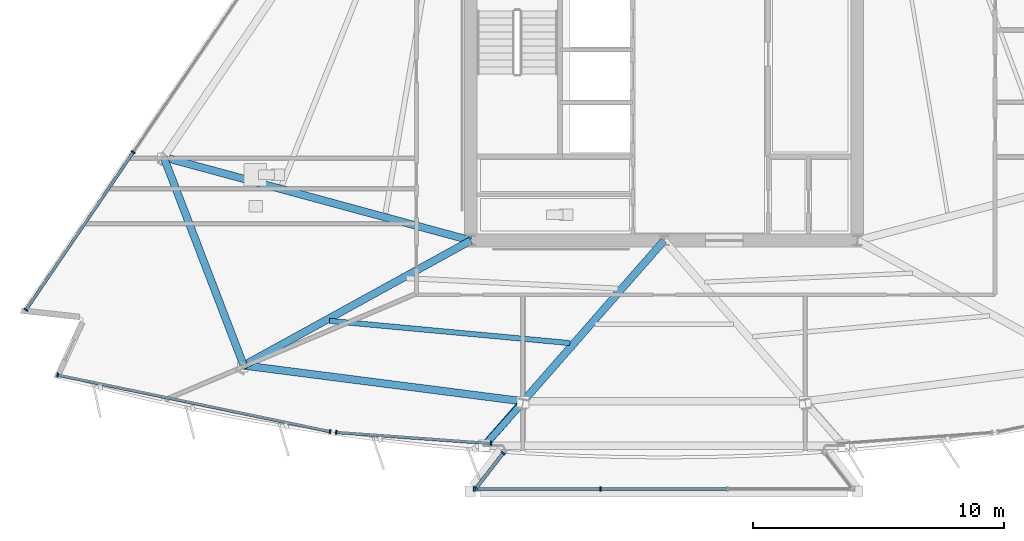
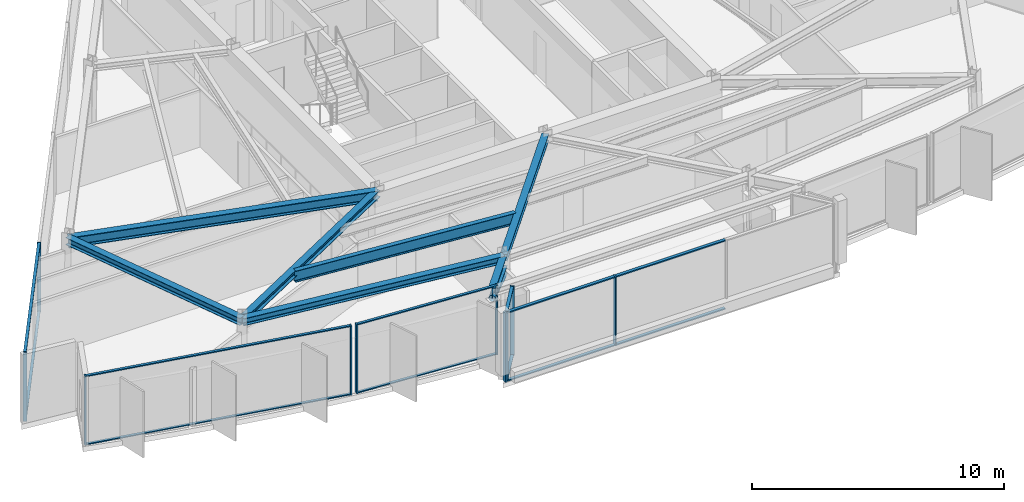
# One storey, part 2 of 14: 23 members, 7 beams, 5 elements without a shape of their own.
"""IFC4 building model written with IfcOpenShell, lengths in metres."""

import ifcopenshell
import ifcopenshell.guid

model = None  # the IFC model being written
_history = None  # IfcOwnerHistory: only IFC2X3 demands one
_inside = {}  # id of a spatial element -> (the spatial element, [elements in it])
_under = {}  # id of a project, library or spatial element -> (it, [spatial elements below it])
_declared = {}  # id of a project -> (the project, [libraries it declares])
_typed = {}  # id of a type object -> (the type object, [elements of that type])
_made_of = {}  # id of a material, layer set ... -> (it, [elements and type objects made of it])


def new_model(schema):
    """Start an empty IFC model of exactly this schema.

    Asked for "IFC4X3", IfcOpenShell would pick the latest addendum, in which some entities
    have other attributes; the version numbers below select the first issue.
    IFC2X3 requires an IfcOwnerHistory on every rooted entity: one is made here for all.
    """
    global model, _history
    if schema == "IFC4X3":
        model = ifcopenshell.file(schema_version=(4, 3, 0, 0))
    else:
        model = ifcopenshell.file(schema=schema)
    _inside.clear()
    _under.clear()
    _declared.clear()
    _typed.clear()
    _made_of.clear()
    _history = None
    if model.schema == "IFC2X3":
        org = make("IfcOrganization", Name="unknown")
        user = make(
            "IfcPersonAndOrganization",
            ThePerson=make("IfcPerson", FamilyName="unknown"),
            TheOrganization=org,
        )
        app = make(
            "IfcApplication",
            ApplicationDeveloper=org,
            Version="unknown",
            ApplicationFullName="unknown",
            ApplicationIdentifier="unknown",
        )
        _history = make(
            "IfcOwnerHistory",
            OwningUser=user,
            OwningApplication=app,
            ChangeAction="ADDED",
            CreationDate=0,
        )
    return model


def make(cls, **values):
    """One entity of the class cls with the attributes given. An attribute that is None is left unset."""
    return model.create_entity(
        cls, **{name: value for name, value in values.items() if value is not None}
    )


def rooted(cls, **values):
    """An entity with a GlobalId (a new one), such as an element, a storey or a relation."""
    return make(cls, GlobalId=ifcopenshell.guid.new(), OwnerHistory=_history, **values)


def si_unit(unit_type, name, prefix=None):
    """IfcSIUnit, for example si_unit("LENGTHUNIT", "METRE", prefix="MILLI")."""
    return make("IfcSIUnit", UnitType=unit_type, Prefix=prefix, Name=name)


def assignment(units):
    """IfcUnitAssignment: the units of a project."""
    return None if units is None else make("IfcUnitAssignment", Units=units)


def point(xyz):
    """IfcCartesianPoint."""
    return None if xyz is None else make("IfcCartesianPoint", Coordinates=xyz)


def direction(xyz):
    """IfcDirection."""
    return None if xyz is None else make("IfcDirection", DirectionRatios=xyz)


def frame(location, z_axis=None, x_axis=None):
    """IfcAxis2Placement3D, a coordinate frame: its origin and axes. An axis left out is left unset."""
    return make(
        "IfcAxis2Placement3D",
        Location=point(location),
        Axis=direction(z_axis),
        RefDirection=direction(x_axis),
    )


def frame_2d(location, x_axis=None):
    """IfcAxis2Placement2D, a coordinate frame in the plane: its origin and x axis."""
    return make(
        "IfcAxis2Placement2D", Location=point(location), RefDirection=direction(x_axis)
    )


def origin():
    """The frame at (0, 0, 0) with its axes left unset."""
    return frame((0.0, 0.0, 0.0))


def origin_2d():
    """The frame at (0, 0) in the plane with its x axis left unset."""
    return frame_2d((0.0, 0.0))


def place(relative_to, where):
    """IfcLocalPlacement: puts the frame where relative to a parent placement (None: the world)."""
    return make(
        "IfcLocalPlacement", PlacementRelTo=relative_to, RelativePlacement=where
    )


def context(
    kind, dimensions, precision=None, world=None, true_north=None, identifier=None
):
    """IfcGeometricRepresentationContext, for example the 3D "Model" context."""
    return make(
        "IfcGeometricRepresentationContext",
        ContextIdentifier=identifier,
        ContextType=kind,
        CoordinateSpaceDimension=dimensions,
        Precision=precision,
        WorldCoordinateSystem=world,
        TrueNorth=true_north,
    )


def subcontext(parent, identifier, kind, view, scale=None):
    """IfcGeometricRepresentationSubContext, for example "Body" below "Model"."""
    return make(
        "IfcGeometricRepresentationSubContext",
        ContextIdentifier=identifier,
        ContextType=kind,
        ParentContext=parent,
        TargetScale=scale,
        TargetView=view,
    )


def project(units=None, contexts=None):
    """IfcProject with its units and contexts."""
    return rooted(
        "IfcProject",
        Name="project",
        RepresentationContexts=contexts,
        UnitsInContext=assignment(units),
    )


def spatial(cls, under=None, at=None, **own):
    """A site, building, storey or space (cls), placed at a placement, below another one or the project."""
    s = rooted(cls, ObjectPlacement=at, **own)
    if under is not None:
        _under.setdefault(under.id(), (under, []))[1].append(s)
    return s


def profile(cls, at=None, kind="AREA", **sizes):
    """A parametric profile (cls). Its sizes go by their IFC names, for example OverallWidth=200.0."""
    return make(cls, ProfileType=kind, Position=at, **sizes)


def rectangle(**sizes):
    """IfcRectangleProfileDef."""
    return profile("IfcRectangleProfileDef", **sizes)


def hollow_circle(**sizes):
    """IfcCircleHollowProfileDef."""
    return profile("IfcCircleHollowProfileDef", **sizes)


def i_section(**sizes):
    """IfcIShapeProfileDef."""
    return profile("IfcIShapeProfileDef", **sizes)


def extrude(swept, where, along, depth):
    """IfcExtrudedAreaSolid: the profile swept, set in the frame where, extruded along a direction by depth."""
    return make(
        "IfcExtrudedAreaSolid",
        SweptArea=swept,
        Position=where,
        ExtrudedDirection=direction(along),
        Depth=depth,
    )


def shape(context_of_items, identifier, shape_type, items):
    """IfcShapeRepresentation: the items that make up one representation, for example the "Body"."""
    return make(
        "IfcShapeRepresentation",
        ContextOfItems=context_of_items,
        RepresentationIdentifier=identifier,
        RepresentationType=shape_type,
        Items=items,
    )


def material(Name=None, Category=None):
    """IfcMaterial."""
    return make("IfcMaterial", Name=Name, Category=Category)


def material_profile(
    of_material, cross_section, Name=None, Category=None, Priority=None
):
    """IfcMaterialProfile: a cross section and its material."""
    return make(
        "IfcMaterialProfile",
        Name=Name,
        Material=of_material,
        Profile=cross_section,
        Priority=Priority,
        Category=Category,
    )


def profile_set(profiles, Name=None, composite=None):
    """IfcMaterialProfileSet."""
    return make(
        "IfcMaterialProfileSet",
        Name=Name,
        MaterialProfiles=profiles,
        CompositeProfile=composite,
    )


def made_of(thing, what):
    """Note that an element or type object is made of a material, layer set ...; save() writes the relation."""
    if what is not None:
        _made_of.setdefault(what.id(), (what, []))[1].append(thing)
    return thing


def type_object(cls, material=None, **own):
    """A type object (cls), such as IfcWallType, which elements share."""
    return made_of(rooted(cls, **own), material)


def element(
    cls,
    number,
    at=None,
    inside=None,
    cuts=None,
    type_object=None,
    material=None,
    context=None,
    identifier="Body",
    shape_type=None,
    held_by="IfcProductDefinitionShape",
    body=None,
    shapes=None,
    **own,
):
    """One element of the class cls, such as IfcWall. Its Tag is "e" and its number.

    at: its placement. inside: the storey or other place that contains it. cuts: it is an
    opening in that element (IfcRelVoidsElement). A single representation is given by context,
    identifier, shape_type and body (its items); several are given by shapes. held_by: the class
    of the entity that holds the representations. save() writes the other relations.
    """
    e = rooted(cls, Tag="e%d" % number, ObjectPlacement=at, **own)
    if body is not None:
        shapes = [shape(context, identifier, shape_type, body)]
    if shapes is not None:
        e.Representation = make(held_by, Representations=shapes)
    if inside is not None:
        _inside.setdefault(inside.id(), (inside, []))[1].append(e)
    if cuts is not None:
        rooted(
            "IfcRelVoidsElement", RelatingBuildingElement=cuts, RelatedOpeningElement=e
        )
    if type_object is not None:
        _typed.setdefault(type_object.id(), (type_object, []))[1].append(e)
    return made_of(e, material)


def aggregate(whole, parts):
    """IfcRelAggregates: a whole, such as a stair, and the parts it consists of."""
    return rooted("IfcRelAggregates", RelatingObject=whole, RelatedObjects=parts)


def save(model, path):
    """Write the relations noted so far, then the file.

    IfcRelAggregates (storeys below a building ...), IfcRelContainedInSpatialStructure (elements
    in a storey), IfcRelDefinesByType, IfcRelAssociatesMaterial and IfcRelDeclares: one each for
    every whole, place, type object, material and project.
    """
    for whole, parts in _under.values():
        aggregate(whole, parts)
    for where, things in _inside.values():
        rooted(
            "IfcRelContainedInSpatialStructure",
            RelatedElements=things,
            RelatingStructure=where,
        )
    for kind, things in _typed.values():
        rooted("IfcRelDefinesByType", RelatedObjects=things, RelatingType=kind)
    for what, things in _made_of.values():
        rooted("IfcRelAssociatesMaterial", RelatedObjects=things, RelatingMaterial=what)
    for by, libraries in _declared.values():
        rooted("IfcRelDeclares", RelatingContext=by, RelatedDefinitions=libraries)
    model.write(path)


model = new_model("IFC4")

# Units and contexts
model_context = context("Model", 3, precision=1e-05, world=origin(), true_north=direction((0.0, 1.0)))
body_context = subcontext(model_context, "Body", "Model", "MODEL_VIEW")
ifc_project = project(units=[si_unit("LENGTHUNIT", "METRE"), si_unit("AREAUNIT", "SQUARE_METRE"), si_unit("VOLUMEUNIT", "CUBIC_METRE"), si_unit("PLANEANGLEUNIT", "RADIAN"), si_unit("MASSUNIT", "GRAM", prefix="KILO")], contexts=[model_context])

# Site, building, storey
site_placement = place(None, origin())
site = spatial("IfcSite", under=ifc_project, at=site_placement, CompositionType="ELEMENT")
building_placement = place(site_placement, origin())
building = spatial("IfcBuilding", under=site, at=building_placement, Name="Savorim Split Tower", CompositionType="ELEMENT")
storey_placement = place(building_placement, frame((0.0, 0.0, 205.5)))
storey = spatial("IfcBuildingStorey", under=building, at=storey_placement, Name="L54", CompositionType="ELEMENT", Elevation=205.5)

# Beams
ifc_material_1 = material(Name="Steel S355", Category="steel")
ifc_material_profile_1 = material_profile(ifc_material_1, i_section(OverallWidth=0.2099609375, OverallDepth=0.550048828125, WebThickness=0.010986328125, FlangeThickness=0.01708984375, FilletRadius=0.02392578125, at=origin_2d()), Name="IPE 550")
ifc_profile_set_1 = profile_set([ifc_material_profile_1], Name="Steel S355")
beam_type_1 = type_object("IfcBeamType", Name="BM-JST-IPE550", PredefinedType="JOIST", material=ifc_profile_set_1)
beam_1_placement = place(storey_placement, frame((-13.330078125, -12.601318359375, 3.074951171875), z_axis=(0.99575434079, -0.092050490482, 0.0), x_axis=(0.092050490482, 0.99575434079, 0.0)))
element("IfcBeam", 1, at=beam_1_placement, inside=storey, type_object=beam_type_1, Name="L54 Secondary Floor Joist JS-01", PredefinedType="JOIST", context=body_context, shape_type="SweptSolid", body=[
    extrude(i_section(OverallWidth=0.2099609375, OverallDepth=0.550048828125, WebThickness=0.010986328125, FlangeThickness=0.01708984375, FilletRadius=0.02392578125, at=origin_2d()), origin(), (0.0, 0.0, 1.0), 9.61962890625),
])
ifc_material_profile_2 = material_profile(ifc_material_1, i_section(OverallWidth=0.300048828125, OverallDepth=0.320068359375, WebThickness=0.011474609375, FlangeThickness=0.0205078125, FilletRadius=0.027099609375, at=origin_2d()), Name="HEB 320")
ifc_profile_set_2 = profile_set([ifc_material_profile_2], Name="Steel S355")
beam_type_2 = type_object("IfcBeamType", Name="BM-PRI-HEB320", PredefinedType="BEAM", material=ifc_profile_set_2)
beam_2_placement = place(storey_placement, frame((-16.74609375, -14.379150390625, 3.18994140625), z_axis=(0.8760576188, 0.482206437682, 0.0), x_axis=(-0.482206437682, 0.8760576188, 0.0)))
element("IfcBeam", 2, at=beam_2_placement, inside=storey, type_object=beam_type_2, Name="L54 Primary Floor Girder RG-01", PredefinedType="BEAM", context=body_context, shape_type="SweptSolid", body=[
    extrude(i_section(OverallWidth=0.300048828125, OverallDepth=0.320068359375, WebThickness=0.011474609375, FlangeThickness=0.0205078125, FilletRadius=0.027099609375, at=origin_2d()), origin(), (0.0, 0.0, 1.0), 10.325927734375),
])
beam_3_placement = place(storey_placement, frame((-5.612548828125, -15.80859375, 3.18994140625), z_axis=(0.658833231646, 0.752289022171, 0.0), x_axis=(-0.752289022171, 0.658833231646, 0.0)))
element("IfcBeam", 3, at=beam_3_placement, inside=storey, type_object=beam_type_2, Name="L54 Primary Floor Girder RG-02", PredefinedType="BEAM", context=body_context, shape_type="SweptSolid", body=[
    extrude(i_section(OverallWidth=0.300048828125, OverallDepth=0.320068359375, WebThickness=0.011474609375, FlangeThickness=0.0205078125, FilletRadius=0.027099609375, at=origin_2d()), origin(), (0.0, 0.0, 1.0), 8.51904296875),
])
ifc_material_profile_3 = material_profile(ifc_material_1, i_section(OverallWidth=0.300048828125, OverallDepth=0.5, WebThickness=0.014404296875, FlangeThickness=0.028076171875, FilletRadius=0.027099609375, at=origin_2d()), Name="HEB 500")
ifc_profile_set_3 = profile_set([ifc_material_profile_3], Name="Steel S355")
beam_type_3 = type_object("IfcBeamType", Name="BM-PRI-HEB500", PredefinedType="BEAM", material=ifc_profile_set_3)
beam_4_placement = place(storey_placement, frame((-19.931884765625, -6.080322265625, 3.10009765625), z_axis=(0.965091569654, -0.261912699545, 0.0), x_axis=(0.261912699545, 0.965091569654, 0.0)))
element("IfcBeam", 4, at=beam_4_placement, inside=storey, type_object=beam_type_3, Name="L54 Primary Floor Girder RG-10", PredefinedType="BEAM", context=body_context, shape_type="SweptSolid", body=[
    extrude(i_section(OverallWidth=0.300048828125, OverallDepth=0.5, WebThickness=0.014404296875, FlangeThickness=0.028076171875, FilletRadius=0.027099609375, at=origin_2d()), origin(), (0.0, 0.0, 1.0), 12.67431640625),
])
ifc_material_profile_4 = material_profile(ifc_material_1, i_section(OverallWidth=0.300048828125, OverallDepth=0.550048828125, WebThickness=0.014892578125, FlangeThickness=0.029052734375, FilletRadius=0.027099609375, at=origin_2d()), Name="HEB 550")
ifc_profile_set_4 = profile_set([ifc_material_profile_4], Name="Steel S355")
beam_type_4 = type_object("IfcBeamType", Name="BM-PRI-HEB550", PredefinedType="BEAM", material=ifc_profile_set_4)
beam_5_placement = place(storey_placement, frame((-5.612548828125, -15.80859375, 3.074951171875), z_axis=(-0.658864926547, -0.752261263502, 0.0), x_axis=(0.752261263502, -0.658864926547, 0.0)))
element("IfcBeam", 5, at=beam_5_placement, inside=storey, type_object=beam_type_4, Name="L54 Cantilevered Lounge Rib 1", PredefinedType="BEAM", context=body_context, shape_type="SweptSolid", body=[
    extrude(i_section(OverallWidth=0.300048828125, OverallDepth=0.550048828125, WebThickness=0.014892578125, FlangeThickness=0.029052734375, FilletRadius=0.027099609375, at=origin_2d()), origin(), (0.0, 0.0, 1.0), 2.35009765625),
])
ifc_material_profile_5 = material_profile(ifc_material_1, i_section(OverallWidth=0.300048828125, OverallDepth=0.35009765625, WebThickness=0.010009765625, FlangeThickness=0.017578125, FilletRadius=0.027099609375, at=origin_2d()), Name="HEA 360")
ifc_profile_set_5 = profile_set([ifc_material_profile_5], Name="Steel S355")
beam_type_5 = type_object("IfcBeamType", Name="BM-SPN-HEA360", PredefinedType="SPANDREL", material=ifc_profile_set_5)
beam_6_placement = place(storey_placement, frame((-16.74609375, -14.379150390625, 3.175048828125), z_axis=(0.991858435189, -0.127345375042, 0.0), x_axis=(0.127345375042, 0.991858435189, 0.0)))
element("IfcBeam", 6, at=beam_6_placement, inside=storey, type_object=beam_type_5, Name="L54 Perimeter Spandrel Beam 1", PredefinedType="SPANDREL", context=body_context, shape_type="SweptSolid", body=[
    extrude(i_section(OverallWidth=0.300048828125, OverallDepth=0.35009765625, WebThickness=0.010009765625, FlangeThickness=0.017578125, FilletRadius=0.027099609375, at=origin_2d()), origin(), (0.0, 0.0, 1.0), 11.224853515625),
])
beam_7_placement = place(storey_placement, frame((-19.931884765625, -6.080322265625, 3.175048828125), z_axis=(0.358384555312, -0.933574051971, 0.0), x_axis=(0.933574051971, 0.358384555312, 0.0)))
element("IfcBeam", 7, at=beam_7_placement, inside=storey, type_object=beam_type_5, Name="L54 Perimeter Spandrel Beam 10", PredefinedType="SPANDREL", context=body_context, shape_type="SweptSolid", body=[
    extrude(i_section(OverallWidth=0.300048828125, OverallDepth=0.35009765625, WebThickness=0.010009765625, FlangeThickness=0.017578125, FilletRadius=0.027099609375, at=origin_2d()), origin(), (0.0, 0.0, 1.0), 8.889404296875),
])

# Curtain wall, members
ifc_material_2 = material(Name="Dark Ceramic-Fritted Insulated Glass", Category="glass")
curtain_wall_type_1 = type_object("IfcCurtainWallType", Name="CW-TWR-FRIT-B", PredefinedType="NOTDEFINED", material=ifc_material_2)
curtain_wall_1_placement = place(storey_placement, origin())
curtain_wall_1 = element("IfcCurtainWall", 8, at=curtain_wall_1_placement, inside=storey, type_object=curtain_wall_type_1, Name="L54 Curtain Wall CW-L54-SF1A", PredefinedType="NOTDEFINED")
ifc_material_3 = material(Name="Charcoal Anodised Aluminium", Category="aluminium")
ifc_material_profile_6 = material_profile(ifc_material_3, rectangle(XDim=0.159912109375, YDim=0.06005859375, at=origin_2d()), Name="ALU-M 160x60")
ifc_profile_set_6 = profile_set([ifc_material_profile_6], Name="Charcoal Anodised Aluminium")
member_type_1 = type_object("IfcMemberType", Name="CWM-160x60", PredefinedType="MULLION", material=ifc_profile_set_6)
member_1_placement = place(storey_placement, frame((-24.15869140625, -14.758544921875, 0.0), z_axis=(0.0, 0.0, 1.0), x_axis=(0.203210452448, 0.979135083641, 0.0)))
member_1 = element("IfcMember", 9, at=member_1_placement, type_object=member_type_1, Name="CW-03 mullion 1", PredefinedType="MULLION", context=body_context, shape_type="SweptSolid", body=[
    extrude(rectangle(XDim=0.159912109375, YDim=0.06005859375, at=origin_2d()), origin(), (0.0, 0.0, 1.0), 3.35009765625),
])
member_2_placement = place(storey_placement, frame((-13.303466796875, -17.011474609375, 0.0), z_axis=(0.0, 0.0, 1.0), x_axis=(0.203210452448, 0.979135083641, 0.0)))
member_2 = element("IfcMember", 10, at=member_2_placement, type_object=member_type_1, Name="CW-03 mullion 2", PredefinedType="MULLION", context=body_context, shape_type="SweptSolid", body=[
    extrude(rectangle(XDim=0.159912109375, YDim=0.06005859375, at=origin_2d()), origin(), (0.0, 0.0, 1.0), 3.35009765625),
])

curtain_wall_2_placement = place(storey_placement, origin())
curtain_wall_2 = element("IfcCurtainWall", 11, at=curtain_wall_2_placement, inside=storey, type_object=curtain_wall_type_1, Name="L54 Curtain Wall CW-L54-SF2A", PredefinedType="NOTDEFINED")
member_3_placement = place(storey_placement, frame((-13.062255859375, -17.044921875, 0.0), z_axis=(0.0, 0.0, 1.0), x_axis=(0.071552325109, 0.99743684751, 0.0)))
member_3 = element("IfcMember", 12, at=member_3_placement, type_object=member_type_1, Name="CW-03 mullion 1", PredefinedType="MULLION", context=body_context, shape_type="SweptSolid", body=[
    extrude(rectangle(XDim=0.159912109375, YDim=0.06005859375, at=origin_2d()), origin(), (0.0, 0.0, 1.0), 3.35009765625),
])
member_4_placement = place(storey_placement, frame((-6.8994140625, -17.487060546875, 0.0), z_axis=(0.0, 0.0, 1.0), x_axis=(0.071552325109, 0.99743684751, 0.0)))
member_4 = element("IfcMember", 13, at=member_4_placement, type_object=member_type_1, Name="CW-03 mullion 2", PredefinedType="MULLION", context=body_context, shape_type="SweptSolid", body=[
    extrude(rectangle(XDim=0.159912109375, YDim=0.06005859375, at=origin_2d()), origin(), (0.0, 0.0, 1.0), 3.35009765625),
])

curtain_wall_3_placement = place(storey_placement, origin())
curtain_wall_3 = element("IfcCurtainWall", 14, at=curtain_wall_3_placement, inside=storey, type_object=curtain_wall_type_1, Name="L54 Curtain Wall CW-L54-WEST", PredefinedType="NOTDEFINED")
member_5_placement = place(storey_placement, frame((-21.147705078125, -5.884033203125, 0.0), z_axis=(0.0, 0.0, 1.0), x_axis=(0.826820907104, -0.562465276773, 0.0)))
member_5 = element("IfcMember", 15, at=member_5_placement, type_object=member_type_1, Name="CW-03 mullion 4", PredefinedType="MULLION", context=body_context, shape_type="SweptSolid", body=[
    extrude(rectangle(XDim=0.159912109375, YDim=0.06005859375, at=origin_2d()), origin(), (0.0, 0.0, 1.0), 3.35009765625),
])
member_6_placement = place(storey_placement, frame((-25.4189453125, -12.16259765625, 0.0), z_axis=(0.0, 0.0, 1.0), x_axis=(0.826820907104, -0.562465276773, 0.0)))
member_6 = element("IfcMember", 16, at=member_6_placement, type_object=member_type_1, Name="CW-03 mullion 5", PredefinedType="MULLION", context=body_context, shape_type="SweptSolid", body=[
    extrude(rectangle(XDim=0.159912109375, YDim=0.06005859375, at=origin_2d()), origin(), (0.0, 0.0, 1.0), 3.35009765625),
])

curtain_wall_type_2 = type_object("IfcCurtainWallType", Name="CW-BAY-LOUNGE", PredefinedType="NOTDEFINED", material=ifc_material_2)
curtain_wall_4_placement = place(storey_placement, origin())
curtain_wall_4 = element("IfcCurtainWall", 17, at=curtain_wall_4_placement, inside=storey, type_object=curtain_wall_type_2, Name="L54 Curtain Wall CW-L54-BAYF", PredefinedType="NOTDEFINED")
ifc_material_profile_7 = material_profile(ifc_material_3, rectangle(XDim=0.179931640625, YDim=0.06494140625, at=origin_2d()), Name="ALU-M 180x65")
ifc_profile_set_7 = profile_set([ifc_material_profile_7], Name="Charcoal Anodised Aluminium")
member_type_2 = type_object("IfcMemberType", Name="CWM-180x65", PredefinedType="MULLION", material=ifc_profile_set_7)
member_7_placement = place(storey_placement, frame((-7.5625, -19.296142578125, 0.0), z_axis=(0.0, 0.0, 1.0), x_axis=(0.0, 1.0, 0.0)))
member_7 = element("IfcMember", 18, at=member_7_placement, type_object=member_type_2, Name="CW-04 mullion 1", PredefinedType="MULLION", context=body_context, shape_type="SweptSolid", body=[
    extrude(rectangle(XDim=0.179931640625, YDim=0.06494140625, at=origin_2d()), origin(), (0.0, 0.0, 1.0), 3.35009765625),
])
member_8_placement = place(storey_placement, frame((-2.53173828125, -19.296142578125, 0.0), z_axis=(0.0, 0.0, 1.0), x_axis=(0.0, 1.0, 0.0)))
member_8 = element("IfcMember", 19, at=member_8_placement, type_object=member_type_2, Name="CW-04 mullion 2", PredefinedType="MULLION", context=body_context, shape_type="SweptSolid", body=[
    extrude(rectangle(XDim=0.179931640625, YDim=0.06494140625, at=origin_2d()), origin(), (0.0, 0.0, 1.0), 3.35009765625),
])

curtain_wall_5_placement = place(storey_placement, origin())
curtain_wall_5 = element("IfcCurtainWall", 20, at=curtain_wall_5_placement, inside=storey, type_object=curtain_wall_type_2, Name="L54 Curtain Wall CW-L54-BAYW", PredefinedType="NOTDEFINED")
member_9_placement = place(storey_placement, frame((-6.4091796875, -17.8681640625, 0.0), z_axis=(0.0, 0.0, 1.0), x_axis=(0.791644427418, -0.610982078738, 0.0)))
member_9 = element("IfcMember", 21, at=member_9_placement, type_object=member_type_2, Name="CW-04 mullion 1", PredefinedType="MULLION", context=body_context, shape_type="SweptSolid", body=[
    extrude(rectangle(XDim=0.179931640625, YDim=0.06494140625, at=origin_2d()), origin(), (0.0, 0.0, 1.0), 3.35009765625),
])
member_10_placement = place(storey_placement, frame((-7.49072265625, -19.269287109375, 0.0), z_axis=(0.0, 0.0, 1.0), x_axis=(0.791644427418, -0.610982078738, 0.0)))
member_10 = element("IfcMember", 22, at=member_10_placement, type_object=member_type_2, Name="CW-04 mullion 2", PredefinedType="MULLION", context=body_context, shape_type="SweptSolid", body=[
    extrude(rectangle(XDim=0.179931640625, YDim=0.06494140625, at=origin_2d()), origin(), (0.0, 0.0, 1.0), 3.35009765625),
])

# Member
ifc_material_profile_8 = material_profile(ifc_material_3, rectangle(XDim=0.1201171875, YDim=0.050048828125, at=origin_2d()), Name="ALU-T 120x50")
ifc_profile_set_8 = profile_set([ifc_material_profile_8], Name="Charcoal Anodised Aluminium")
member_type_3 = type_object("IfcMemberType", Name="CWT-120x50", PredefinedType="USERDEFINED", material=ifc_profile_set_8)
member_11_placement = place(storey_placement, frame((-24.12939453125, -14.7646484375, 0.02490234375), z_axis=(0.979135416768, -0.203208847322, 0.0), x_axis=(0.203208847322, 0.979135416768, 0.0)))
member_11 = element("IfcMember", 23, at=member_11_placement, type_object=member_type_3, Name="CW-03 transom 1.1", ObjectType="TRANSOM", PredefinedType="USERDEFINED", context=body_context, shape_type="SweptSolid", body=[
    extrude(rectangle(XDim=0.1201171875, YDim=0.050048828125, at=origin_2d()), origin(), (0.0, 0.0, 1.0), 11.026611328125),
])

member_12_placement = place(storey_placement, frame((-24.12939453125, -14.7646484375, 3.324951171875), z_axis=(0.979135416768, -0.203208847322, 0.0), x_axis=(0.203208847322, 0.979135416768, 0.0)))
member_12 = element("IfcMember", 24, at=member_12_placement, type_object=member_type_3, Name="CW-03 transom 1.2", ObjectType="TRANSOM", PredefinedType="USERDEFINED", context=body_context, shape_type="SweptSolid", body=[
    extrude(rectangle(XDim=0.1201171875, YDim=0.050048828125, at=origin_2d()), origin(), (0.0, 0.0, 1.0), 11.026611328125),
])

aggregate(curtain_wall_1, [member_1, member_2, member_11, member_12])

member_13_placement = place(storey_placement, frame((-13.032470703125, -17.047119140625, 0.02490234375), z_axis=(0.99743759191, -0.071541947448, 0.0), x_axis=(0.071541947448, 0.99743759191, 0.0)))
member_13 = element("IfcMember", 25, at=member_13_placement, type_object=member_type_3, Name="CW-03 transom 1.1", ObjectType="TRANSOM", PredefinedType="USERDEFINED", context=body_context, shape_type="SweptSolid", body=[
    extrude(rectangle(XDim=0.1201171875, YDim=0.050048828125, at=origin_2d()), origin(), (0.0, 0.0, 1.0), 6.11865234375),
])

member_14_placement = place(storey_placement, frame((-13.032470703125, -17.047119140625, 3.324951171875), z_axis=(0.99743759191, -0.071541947448, 0.0), x_axis=(0.071541947448, 0.99743759191, 0.0)))
member_14 = element("IfcMember", 26, at=member_14_placement, type_object=member_type_3, Name="CW-03 transom 1.2", ObjectType="TRANSOM", PredefinedType="USERDEFINED", context=body_context, shape_type="SweptSolid", body=[
    extrude(rectangle(XDim=0.1201171875, YDim=0.050048828125, at=origin_2d()), origin(), (0.0, 0.0, 1.0), 6.11865234375),
])

aggregate(curtain_wall_2, [member_3, member_4, member_13, member_14])

member_15_placement = place(storey_placement, frame((-21.16455078125, -5.90869140625, 0.02490234375), z_axis=(-0.562453610104, -0.826828843523, 0.0), x_axis=(0.826828843523, -0.562453610104, 0.0)))
member_15 = element("IfcMember", 27, at=member_15_placement, type_object=member_type_3, Name="CW-03 transom 4.1", ObjectType="TRANSOM", PredefinedType="USERDEFINED", context=body_context, shape_type="SweptSolid", body=[
    extrude(rectangle(XDim=0.1201171875, YDim=0.050048828125, at=origin_2d()), origin(), (0.0, 0.0, 1.0), 7.53369140625),
])

member_16_placement = place(storey_placement, frame((-21.16455078125, -5.90869140625, 3.324951171875), z_axis=(-0.562453610104, -0.826828843523, 0.0), x_axis=(0.826828843523, -0.562453610104, 0.0)))
member_16 = element("IfcMember", 28, at=member_16_placement, type_object=member_type_3, Name="CW-03 transom 4.2", ObjectType="TRANSOM", PredefinedType="USERDEFINED", context=body_context, shape_type="SweptSolid", body=[
    extrude(rectangle(XDim=0.1201171875, YDim=0.050048828125, at=origin_2d()), origin(), (0.0, 0.0, 1.0), 7.53369140625),
])

aggregate(curtain_wall_3, [member_5, member_6, member_15, member_16])

ifc_material_profile_9 = material_profile(ifc_material_3, rectangle(XDim=0.139892578125, YDim=0.054931640625, at=origin_2d()), Name="ALU-T 140x55")
ifc_profile_set_9 = profile_set([ifc_material_profile_9], Name="Charcoal Anodised Aluminium")
member_type_4 = type_object("IfcMemberType", Name="CWT-140x55", PredefinedType="USERDEFINED", material=ifc_profile_set_9)
member_17_placement = place(storey_placement, frame((-7.530029296875, -19.296142578125, 0.027587890625), z_axis=(1.0, 0.0, 0.0), x_axis=(0.0, 1.0, 0.0)))
member_17 = element("IfcMember", 29, at=member_17_placement, type_object=member_type_4, Name="CW-04 transom 1.1", ObjectType="TRANSOM", PredefinedType="USERDEFINED", context=body_context, shape_type="SweptSolid", body=[
    extrude(rectangle(XDim=0.139892578125, YDim=0.054931640625, at=origin_2d()), origin(), (0.0, 0.0, 1.0), 4.9658203125),
])

member_18_placement = place(storey_placement, frame((-7.530029296875, -19.296142578125, 3.322509765625), z_axis=(1.0, 0.0, 0.0), x_axis=(0.0, 1.0, 0.0)))
member_18 = element("IfcMember", 30, at=member_18_placement, type_object=member_type_4, Name="CW-04 transom 1.2", ObjectType="TRANSOM", PredefinedType="USERDEFINED", context=body_context, shape_type="SweptSolid", body=[
    extrude(rectangle(XDim=0.139892578125, YDim=0.054931640625, at=origin_2d()), origin(), (0.0, 0.0, 1.0), 4.9658203125),
])

member_19_placement = place(storey_placement, frame((-2.499267578125, -19.296142578125, 0.027587890625), z_axis=(1.0, 0.0, 0.0), x_axis=(0.0, 1.0, 0.0)))
member_19 = element("IfcMember", 31, at=member_19_placement, type_object=member_type_4, Name="CW-04 transom 2.1", ObjectType="TRANSOM", PredefinedType="USERDEFINED", context=body_context, shape_type="SweptSolid", body=[
    extrude(rectangle(XDim=0.139892578125, YDim=0.054931640625, at=origin_2d()), origin(), (0.0, 0.0, 1.0), 4.99853515625),
])

member_20_placement = place(storey_placement, frame((-2.499267578125, -19.296142578125, 3.322509765625), z_axis=(1.0, 0.0, 0.0), x_axis=(0.0, 1.0, 0.0)))
member_20 = element("IfcMember", 32, at=member_20_placement, type_object=member_type_4, Name="CW-04 transom 2.2", ObjectType="TRANSOM", PredefinedType="USERDEFINED", context=body_context, shape_type="SweptSolid", body=[
    extrude(rectangle(XDim=0.139892578125, YDim=0.054931640625, at=origin_2d()), origin(), (0.0, 0.0, 1.0), 4.99853515625),
])

aggregate(curtain_wall_4, [member_7, member_8, member_17, member_18, member_19, member_20])

member_21_placement = place(storey_placement, frame((-6.42919921875, -17.893798828125, 0.027587890625), z_axis=(-0.610872704721, -0.791728828973, 0.0), x_axis=(0.791728828973, -0.610872704721, 0.0)))
member_21 = element("IfcMember", 33, at=member_21_placement, type_object=member_type_4, Name="CW-04 transom 1.1", ObjectType="TRANSOM", PredefinedType="USERDEFINED", context=body_context, shape_type="SweptSolid", body=[
    extrude(rectangle(XDim=0.139892578125, YDim=0.054931640625, at=origin_2d()), origin(), (0.0, 0.0, 1.0), 1.704833984375),
])

member_22_placement = place(storey_placement, frame((-6.42919921875, -17.893798828125, 3.322509765625), z_axis=(-0.610872704721, -0.791728828973, 0.0), x_axis=(0.791728828973, -0.610872704721, 0.0)))
member_22 = element("IfcMember", 34, at=member_22_placement, type_object=member_type_4, Name="CW-04 transom 1.2", ObjectType="TRANSOM", PredefinedType="USERDEFINED", context=body_context, shape_type="SweptSolid", body=[
    extrude(rectangle(XDim=0.139892578125, YDim=0.054931640625, at=origin_2d()), origin(), (0.0, 0.0, 1.0), 1.704833984375),
])

aggregate(curtain_wall_5, [member_9, member_10, member_21, member_22])

ifc_material_profile_10 = material_profile(ifc_material_1, hollow_circle(Radius=0.136474609375, WallThickness=0.01611328125, at=origin_2d()), Name="CHS 273x16")
ifc_profile_set_10 = profile_set([ifc_material_profile_10], Name="Steel S355")
member_type_5 = type_object("IfcMemberType", Name="MBR-CRN-CHS273", PredefinedType="BRACE", material=ifc_profile_set_10)
member_23_placement = place(storey_placement, frame((-5.620361328125, -15.84912109375, 2.449951171875), z_axis=(-0.657256076957, -0.736939262198, 0.157908116112), x_axis=(0.74630251536, -0.665606907692, 0.0)))
element("IfcMember", 35, at=member_23_placement, inside=storey, type_object=member_type_5, Name="L54 Cantilevered Bay Support Strut 1", PredefinedType="BRACE", context=body_context, shape_type="SweptSolid", body=[
    extrude(hollow_circle(Radius=0.136474609375, WallThickness=0.01611328125, at=origin_2d()), origin(), (0.0, 0.0, 1.0), 2.343994140625),
])

save(model, "model.ifc")
